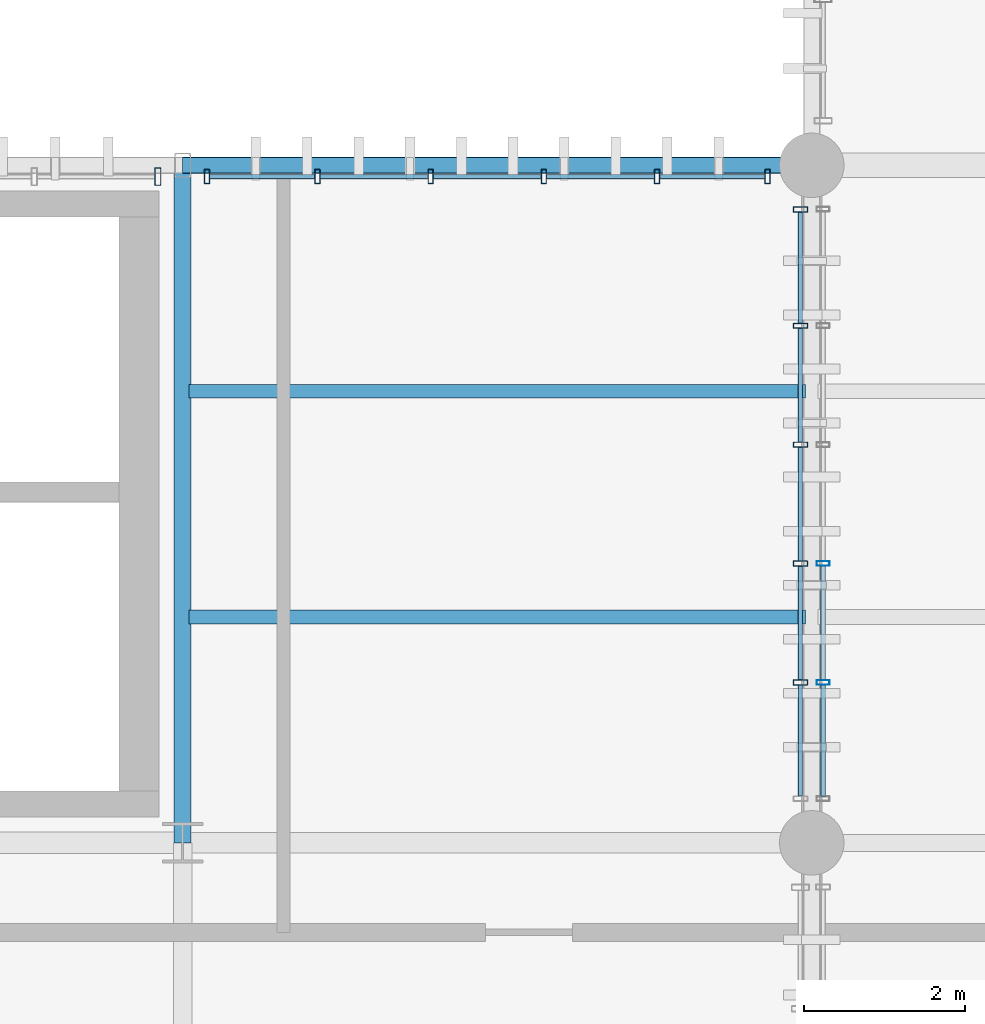
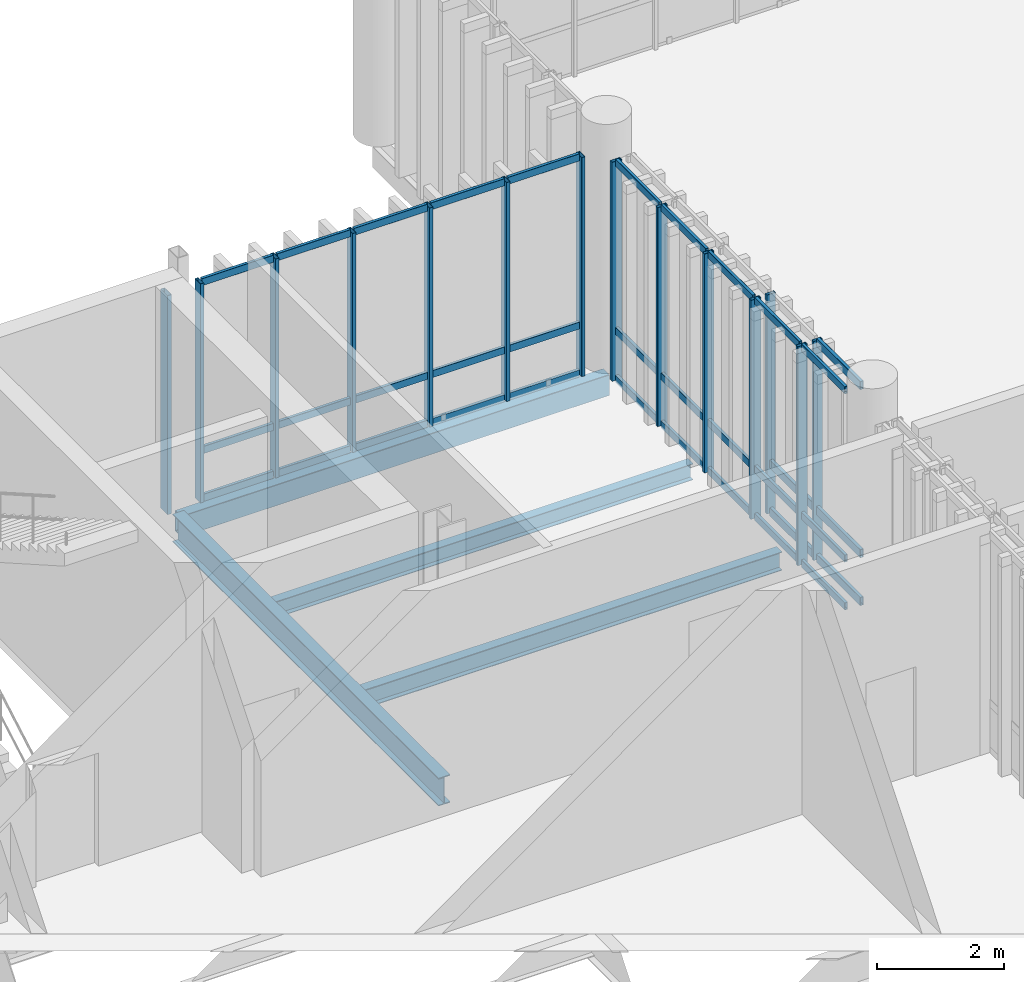
# One storey, part 36 of 109: 49 members, 4 beams, 4 elements without a shape of their own.
"""IFC4 building model written with IfcOpenShell, lengths in metres."""

from ifc_helpers import new_model, si_unit, direction, frame, origin_with_axes, origin_2d_with_axis, place, context, subcontext, project, spatial, hollow_rectangle, i_section, extrude, material, material_profile, profile_set, type_object, element, aggregate, save


model = new_model("IFC4")

# Units and contexts
model_context = context("Model", 3, precision=1e-05, world=origin_with_axes(), true_north=direction((0.0, 1.0)))
body_context = subcontext(model_context, "Body", "Model", "MODEL_VIEW")
ifc_project = project(units=[si_unit("LENGTHUNIT", "METRE"), si_unit("AREAUNIT", "SQUARE_METRE"), si_unit("VOLUMEUNIT", "CUBIC_METRE"), si_unit("PLANEANGLEUNIT", "RADIAN"), si_unit("MASSUNIT", "GRAM", prefix="KILO"), si_unit("THERMODYNAMICTEMPERATUREUNIT", "KELVIN")], contexts=[model_context])

# Site, building, storey
site_placement = place(None, origin_with_axes())
site = spatial("IfcSite", under=ifc_project, at=site_placement, CompositionType="ELEMENT")
building_placement = place(site_placement, origin_with_axes())
building = spatial("IfcBuilding", under=site, at=building_placement, Name="Montbau Bow Law Courts", CompositionType="ELEMENT")
storey_placement = place(building_placement, frame((0.0, 0.0, 10.8), z_axis=(0.0, 0.0, 1.0), x_axis=(1.0, 0.0, 0.0)))
storey = spatial("IfcBuildingStorey", under=building, at=storey_placement, Name="L02", CompositionType="ELEMENT", Elevation=10.8)

# Beams
ifc_material_1 = material(Name="Steel CSA G40.21 Grade 350W (350 MPa)", Category="steel")
ifc_material_profile_1 = material_profile(ifc_material_1, i_section(OverallWidth=0.21, OverallDepth=0.537, WebThickness=0.0109, FlangeThickness=0.0174, at=origin_2d_with_axis()), Name="W530X101", Category="Main", Priority=0)
ifc_profile_set_1 = profile_set([ifc_material_profile_1], Name="Steel CSA G40.21 Grade 350W (350 MPa)")
beam_type_1 = type_object("IfcBeamType", Name="B-FLR-06", PredefinedType="BEAM", material=ifc_profile_set_1)
beam_1_placement = place(None, frame((39.0, 46.2, 10.312), z_axis=(0.0, 1.0, 0.0), x_axis=(-1.0, 0.0, 0.0)))
element("IfcBeam", 1, at=beam_1_placement, inside=storey, type_object=beam_type_1, Name="BM-L02-S0578:bm2_0581", PredefinedType="BEAM", context=body_context, shape_type="SweptSolid", body=[
    extrude(i_section(OverallWidth=0.21, OverallDepth=0.537, WebThickness=0.0109, FlangeThickness=0.0174, at=origin_2d_with_axis()), origin_with_axes(), (0.0, 0.0, 1.0), 8.4),
])
ifc_material_profile_2 = material_profile(ifc_material_1, i_section(OverallWidth=0.172, OverallDepth=0.358, WebThickness=0.0079, FlangeThickness=0.0131, at=origin_2d_with_axis()), Name="W360X57", Category="Main", Priority=0)
ifc_profile_set_2 = profile_set([ifc_material_profile_2], Name="Steel CSA G40.21 Grade 350W (350 MPa)")
beam_type_2 = type_object("IfcBeamType", Name="B-JST-03", PredefinedType="JOIST", material=ifc_profile_set_2)
beam_2_placement = place(None, frame((39.081, 49.0, 10.381), z_axis=(1.0, 0.0, 0.0), x_axis=(0.0, 1.0, 0.0)))
element("IfcBeam", 2, at=beam_2_placement, inside=storey, type_object=beam_type_2, Name="JST-L02-S0282:jst2_0282", PredefinedType="JOIST", context=body_context, shape_type="SweptSolid", body=[
    extrude(i_section(OverallWidth=0.172, OverallDepth=0.358, WebThickness=0.0079, FlangeThickness=0.0131, at=origin_2d_with_axis()), origin_with_axes(), (0.0, 0.0, 1.0), 7.639),
])
ifc_material_profile_3 = material_profile(ifc_material_1, i_section(OverallWidth=0.166, OverallDepth=0.313, WebThickness=0.0066, FlangeThickness=0.0112, at=origin_2d_with_axis()), Name="W310X45", Category="Main", Priority=0)
ifc_profile_set_3 = profile_set([ifc_material_profile_3], Name="Steel CSA G40.21 Grade 350W (350 MPa)")
beam_type_3 = type_object("IfcBeamType", Name="B-JST-04", PredefinedType="JOIST", material=ifc_profile_set_3)
beam_3_placement = place(None, frame((39.081, 51.8, 10.404), z_axis=(1.0, 0.0, 0.0), x_axis=(0.0, 1.0, 0.0)))
element("IfcBeam", 3, at=beam_3_placement, inside=storey, type_object=beam_type_3, Name="JST-L02-S0283:jst2_0283", PredefinedType="JOIST", context=body_context, shape_type="SweptSolid", body=[
    extrude(i_section(OverallWidth=0.166, OverallDepth=0.313, WebThickness=0.0066, FlangeThickness=0.0112, at=origin_2d_with_axis()), origin_with_axes(), (0.0, 0.0, 1.0), 7.639),
])
ifc_material_2 = material(Name="Steel CSA G40.21 Grade 350WT (350 MPa)", Category="steel")
ifc_material_profile_4 = material_profile(ifc_material_2, hollow_rectangle(XDim=0.203, YDim=0.406, WallThickness=0.0127, InnerFilletRadius=0.0254, OuterFilletRadius=0.0127, at=origin_2d_with_axis()), Name="HSS406X203X13", Category="Main", Priority=0)
ifc_profile_set_4 = profile_set([ifc_material_profile_4], Name="Steel CSA G40.21 Grade 350WT (350 MPa)")
beam_type_4 = type_object("IfcBeamType", Name="B-SPN-01", PredefinedType="SPANDREL", material=ifc_profile_set_4)
beam_4_placement = place(None, frame((39.0, 54.6, 10.357), z_axis=(1.0, 0.0, 0.0), x_axis=(0.0, 1.0, 0.0)))
element("IfcBeam", 4, at=beam_4_placement, inside=storey, type_object=beam_type_4, Name="SPN-L02-S0565:bm2_0568", PredefinedType="SPANDREL", context=body_context, shape_type="SweptSolid", body=[
    extrude(hollow_rectangle(XDim=0.203, YDim=0.406, WallThickness=0.0127, InnerFilletRadius=0.0254, OuterFilletRadius=0.0127, at=origin_2d_with_axis()), origin_with_axes(), (0.0, 0.0, 1.0), 7.8),
])

# Curtain wall, member
ifc_material_3 = material(Name="Thermally Broken Extruded Aluminium AA 6063-T6", Category="aluminium")
curtain_wall_type_1 = type_object("IfcCurtainWallType", Name="CW-TRC-01", PredefinedType="NOTDEFINED", material=ifc_material_3)
curtain_wall_1_placement = place(None, frame((30.867, 54.46, 10.8), z_axis=(0.0, 0.0, 1.0), x_axis=(1.0, 0.0, 0.0)))
curtain_wall_1 = element("IfcCurtainWall", 5, at=curtain_wall_1_placement, inside=storey, type_object=curtain_wall_type_1, Name="CW-L02-042:cw_0042", PredefinedType="NOTDEFINED")
ifc_material_profile_5 = material_profile(ifc_material_3, hollow_rectangle(XDim=0.075, YDim=0.22, WallThickness=0.005, InnerFilletRadius=0.01, OuterFilletRadius=0.005, at=origin_2d_with_axis()), Name="CWM-220X75", Category="Main", Priority=0)
ifc_profile_set_5 = profile_set([ifc_material_profile_5], Name="Thermally Broken Extruded Aluminium AA 6063-T6")
member_type_1 = type_object("IfcMemberType", Name="M-MUL-01", PredefinedType="MULLION", material=ifc_profile_set_5)
member_1_placement = place(None, frame((38.694, 54.46, 10.8), z_axis=(0.0, 0.0, 1.0), x_axis=(1.0, 0.0, 0.0)))
member_1 = element("IfcMember", 6, at=member_1_placement, type_object=member_type_1, Name="CW-L02-042-M06:cw_0042_M06", PredefinedType="MULLION", context=body_context, shape_type="SweptSolid", body=[
    extrude(hollow_rectangle(XDim=0.075, YDim=0.22, WallThickness=0.005, InnerFilletRadius=0.01, OuterFilletRadius=0.005, at=origin_2d_with_axis()), origin_with_axes(), (0.0, 0.0, 1.0), 4.22),
])
aggregate(curtain_wall_1, [member_1])

# Curtain wall, members
curtain_wall_2_placement = place(None, frame((39.268, 54.46, 10.8), z_axis=(0.0, 0.0, 1.0), x_axis=(1.0, 0.0, 0.0)))
curtain_wall_2 = element("IfcCurtainWall", 7, at=curtain_wall_2_placement, inside=storey, type_object=curtain_wall_type_1, Name="CW-L02-043:cw_0043", PredefinedType="NOTDEFINED")
ifc_material_profile_6 = material_profile(ifc_material_3, hollow_rectangle(XDim=0.065, YDim=0.18, WallThickness=0.005, InnerFilletRadius=0.01, OuterFilletRadius=0.005, at=origin_2d_with_axis()), Name="CWM-180X65", Category="Main", Priority=0)
ifc_profile_set_6 = profile_set([ifc_material_profile_6], Name="Thermally Broken Extruded Aluminium AA 6063-T6")
member_type_2 = type_object("IfcMemberType", Name="M-MUL-02", PredefinedType="MULLION", material=ifc_profile_set_6)
member_2_placement = place(None, frame((39.301, 54.46, 10.8), z_axis=(0.0, 0.0, 1.0), x_axis=(1.0, 0.0, 0.0)))
member_2 = element("IfcMember", 8, at=member_2_placement, type_object=member_type_2, Name="CW-L02-043-M01:cw_0043_M01", PredefinedType="MULLION", context=body_context, shape_type="SweptSolid", body=[
    extrude(hollow_rectangle(XDim=0.065, YDim=0.18, WallThickness=0.005, InnerFilletRadius=0.01, OuterFilletRadius=0.005, at=origin_2d_with_axis()), origin_with_axes(), (0.0, 0.0, 1.0), 4.22),
])
member_3_placement = place(None, frame((40.671, 54.46, 10.8), z_axis=(0.0, 0.0, 1.0), x_axis=(1.0, 0.0, 0.0)))
member_3 = element("IfcMember", 9, at=member_3_placement, type_object=member_type_2, Name="CW-L02-043-M02:cw_0043_M02", PredefinedType="MULLION", context=body_context, shape_type="SweptSolid", body=[
    extrude(hollow_rectangle(XDim=0.065, YDim=0.18, WallThickness=0.005, InnerFilletRadius=0.01, OuterFilletRadius=0.005, at=origin_2d_with_axis()), origin_with_axes(), (0.0, 0.0, 1.0), 4.22),
])
member_4_placement = place(None, frame((42.075, 54.46, 10.8), z_axis=(0.0, 0.0, 1.0), x_axis=(1.0, 0.0, 0.0)))
member_4 = element("IfcMember", 10, at=member_4_placement, type_object=member_type_2, Name="CW-L02-043-M03:cw_0043_M03", PredefinedType="MULLION", context=body_context, shape_type="SweptSolid", body=[
    extrude(hollow_rectangle(XDim=0.065, YDim=0.18, WallThickness=0.005, InnerFilletRadius=0.01, OuterFilletRadius=0.005, at=origin_2d_with_axis()), origin_with_axes(), (0.0, 0.0, 1.0), 4.22),
])
member_5_placement = place(None, frame((43.478, 54.46, 10.8), z_axis=(0.0, 0.0, 1.0), x_axis=(1.0, 0.0, 0.0)))
member_5 = element("IfcMember", 11, at=member_5_placement, type_object=member_type_2, Name="CW-L02-043-M04:cw_0043_M04", PredefinedType="MULLION", context=body_context, shape_type="SweptSolid", body=[
    extrude(hollow_rectangle(XDim=0.065, YDim=0.18, WallThickness=0.005, InnerFilletRadius=0.01, OuterFilletRadius=0.005, at=origin_2d_with_axis()), origin_with_axes(), (0.0, 0.0, 1.0), 4.22),
])
member_6_placement = place(None, frame((44.882, 54.46, 10.8), z_axis=(0.0, 0.0, 1.0), x_axis=(1.0, 0.0, 0.0)))
member_6 = element("IfcMember", 12, at=member_6_placement, type_object=member_type_2, Name="CW-L02-043-M05:cw_0043_M05", PredefinedType="MULLION", context=body_context, shape_type="SweptSolid", body=[
    extrude(hollow_rectangle(XDim=0.065, YDim=0.18, WallThickness=0.005, InnerFilletRadius=0.01, OuterFilletRadius=0.005, at=origin_2d_with_axis()), origin_with_axes(), (0.0, 0.0, 1.0), 4.22),
])
member_7_placement = place(None, frame((46.252, 54.46, 10.8), z_axis=(0.0, 0.0, 1.0), x_axis=(1.0, 0.0, 0.0)))
member_7 = element("IfcMember", 13, at=member_7_placement, type_object=member_type_2, Name="CW-L02-043-M06:cw_0043_M06", PredefinedType="MULLION", context=body_context, shape_type="SweptSolid", body=[
    extrude(hollow_rectangle(XDim=0.065, YDim=0.18, WallThickness=0.005, InnerFilletRadius=0.01, OuterFilletRadius=0.005, at=origin_2d_with_axis()), origin_with_axes(), (0.0, 0.0, 1.0), 4.22),
])

curtain_wall_3_placement = place(None, frame((46.66, 46.715, 10.8), z_axis=(0.0, 0.0, 1.0), x_axis=(1.0, 0.0, 0.0)))
curtain_wall_3 = element("IfcCurtainWall", 14, at=curtain_wall_3_placement, inside=storey, type_object=curtain_wall_type_1, Name="CW-L02-049:cw_0049", PredefinedType="NOTDEFINED")
member_8_placement = place(None, frame((46.66, 48.189, 10.8), z_axis=(0.0, 0.0, 1.0), x_axis=(0.0, 1.0, 0.0)))
member_8 = element("IfcMember", 15, at=member_8_placement, type_object=member_type_2, Name="CW-L02-049-M02:cw_0049_M02", PredefinedType="MULLION", context=body_context, shape_type="SweptSolid", body=[
    extrude(hollow_rectangle(XDim=0.065, YDim=0.18, WallThickness=0.005, InnerFilletRadius=0.01, OuterFilletRadius=0.005, at=origin_2d_with_axis()), origin_with_axes(), (0.0, 0.0, 1.0), 4.22),
])
member_9_placement = place(None, frame((46.66, 49.663, 10.8), z_axis=(0.0, 0.0, 1.0), x_axis=(0.0, 1.0, 0.0)))
member_9 = element("IfcMember", 16, at=member_9_placement, type_object=member_type_2, Name="CW-L02-049-M03:cw_0049_M03", PredefinedType="MULLION", context=body_context, shape_type="SweptSolid", body=[
    extrude(hollow_rectangle(XDim=0.065, YDim=0.18, WallThickness=0.005, InnerFilletRadius=0.01, OuterFilletRadius=0.005, at=origin_2d_with_axis()), origin_with_axes(), (0.0, 0.0, 1.0), 4.22),
])
member_10_placement = place(None, frame((46.66, 51.137, 10.8), z_axis=(0.0, 0.0, 1.0), x_axis=(0.0, 1.0, 0.0)))
member_10 = element("IfcMember", 17, at=member_10_placement, type_object=member_type_2, Name="CW-L02-049-M04:cw_0049_M04", PredefinedType="MULLION", context=body_context, shape_type="SweptSolid", body=[
    extrude(hollow_rectangle(XDim=0.065, YDim=0.18, WallThickness=0.005, InnerFilletRadius=0.01, OuterFilletRadius=0.005, at=origin_2d_with_axis()), origin_with_axes(), (0.0, 0.0, 1.0), 4.22),
])
member_11_placement = place(None, frame((46.66, 52.611, 10.8), z_axis=(0.0, 0.0, 1.0), x_axis=(0.0, 1.0, 0.0)))
member_11 = element("IfcMember", 18, at=member_11_placement, type_object=member_type_2, Name="CW-L02-049-M05:cw_0049_M05", PredefinedType="MULLION", context=body_context, shape_type="SweptSolid", body=[
    extrude(hollow_rectangle(XDim=0.065, YDim=0.18, WallThickness=0.005, InnerFilletRadius=0.01, OuterFilletRadius=0.005, at=origin_2d_with_axis()), origin_with_axes(), (0.0, 0.0, 1.0), 4.22),
])
member_12_placement = place(None, frame((46.66, 54.052, 10.8), z_axis=(0.0, 0.0, 1.0), x_axis=(0.0, 1.0, 0.0)))
member_12 = element("IfcMember", 19, at=member_12_placement, type_object=member_type_2, Name="CW-L02-049-M06:cw_0049_M06", PredefinedType="MULLION", context=body_context, shape_type="SweptSolid", body=[
    extrude(hollow_rectangle(XDim=0.065, YDim=0.18, WallThickness=0.005, InnerFilletRadius=0.01, OuterFilletRadius=0.005, at=origin_2d_with_axis()), origin_with_axes(), (0.0, 0.0, 1.0), 4.22),
])

curtain_wall_type_2 = type_object("IfcCurtainWallType", Name="CW-CRM-01", PredefinedType="NOTDEFINED", material=ifc_material_3)
curtain_wall_4_placement = place(None, frame((46.94, 46.715, 10.8), z_axis=(0.0, 0.0, 1.0), x_axis=(1.0, 0.0, 0.0)))
curtain_wall_4 = element("IfcCurtainWall", 20, at=curtain_wall_4_placement, inside=storey, type_object=curtain_wall_type_2, Name="CW-L02-170:cw_0170", PredefinedType="NOTDEFINED")
ifc_material_profile_7 = material_profile(ifc_material_3, hollow_rectangle(XDim=0.06, YDim=0.16, WallThickness=0.004, InnerFilletRadius=0.008, OuterFilletRadius=0.004, at=origin_2d_with_axis()), Name="CWM-160X60", Category="Main", Priority=0)
ifc_profile_set_7 = profile_set([ifc_material_profile_7], Name="Thermally Broken Extruded Aluminium AA 6063-T6")
member_type_3 = type_object("IfcMemberType", Name="M-MUL-03", PredefinedType="MULLION", material=ifc_profile_set_7)
member_13_placement = place(None, frame((46.94, 48.189, 10.8), z_axis=(0.0, 0.0, 1.0), x_axis=(0.0, 1.0, 0.0)))
member_13 = element("IfcMember", 21, at=member_13_placement, type_object=member_type_3, Name="CW-L02-170-M02:cw_0170_M02", PredefinedType="MULLION", context=body_context, shape_type="SweptSolid", body=[
    extrude(hollow_rectangle(XDim=0.06, YDim=0.16, WallThickness=0.004, InnerFilletRadius=0.008, OuterFilletRadius=0.004, at=origin_2d_with_axis()), origin_with_axes(), (0.0, 0.0, 1.0), 4.22),
])
member_14_placement = place(None, frame((46.94, 49.663, 10.8), z_axis=(0.0, 0.0, 1.0), x_axis=(0.0, 1.0, 0.0)))
member_14 = element("IfcMember", 22, at=member_14_placement, type_object=member_type_3, Name="CW-L02-170-M03:cw_0170_M03", PredefinedType="MULLION", context=body_context, shape_type="SweptSolid", body=[
    extrude(hollow_rectangle(XDim=0.06, YDim=0.16, WallThickness=0.004, InnerFilletRadius=0.008, OuterFilletRadius=0.004, at=origin_2d_with_axis()), origin_with_axes(), (0.0, 0.0, 1.0), 4.22),
])
ifc_material_profile_8 = material_profile(ifc_material_3, hollow_rectangle(XDim=0.06, YDim=0.16, WallThickness=0.004, InnerFilletRadius=0.008, OuterFilletRadius=0.004, at=origin_2d_with_axis()), Name="CWT-160X60", Category="Main", Priority=0)
ifc_profile_set_8 = profile_set([ifc_material_profile_8], Name="Thermally Broken Extruded Aluminium AA 6063-T6")
member_type_4 = type_object("IfcMemberType", Name="M-TRN-01", PredefinedType="USERDEFINED", material=ifc_profile_set_8)
member_15_placement = place(None, frame((46.94, 46.777, 10.83), z_axis=(0.0, 1.0, 0.0), x_axis=(-1.0, 0.0, 0.0)))
member_15 = element("IfcMember", 23, at=member_15_placement, type_object=member_type_4, Name="CW-L02-170-T01-1:cw_0170_T01_1", ObjectType="TRANSOM", PredefinedType="USERDEFINED", context=body_context, shape_type="SweptSolid", body=[
    extrude(hollow_rectangle(XDim=0.06, YDim=0.16, WallThickness=0.004, InnerFilletRadius=0.008, OuterFilletRadius=0.004, at=origin_2d_with_axis()), origin_with_axes(), (0.0, 0.0, 1.0), 1.38),
])
member_16_placement = place(None, frame((46.94, 46.777, 11.75), z_axis=(0.0, 1.0, 0.0), x_axis=(-1.0, 0.0, 0.0)))
member_16 = element("IfcMember", 24, at=member_16_placement, type_object=member_type_4, Name="CW-L02-170-T01-2:cw_0170_T01_2", ObjectType="TRANSOM", PredefinedType="USERDEFINED", context=body_context, shape_type="SweptSolid", body=[
    extrude(hollow_rectangle(XDim=0.06, YDim=0.16, WallThickness=0.004, InnerFilletRadius=0.008, OuterFilletRadius=0.004, at=origin_2d_with_axis()), origin_with_axes(), (0.0, 0.0, 1.0), 1.38),
])
member_17_placement = place(None, frame((46.94, 46.777, 14.99), z_axis=(0.0, 1.0, 0.0), x_axis=(-1.0, 0.0, 0.0)))
member_17 = element("IfcMember", 25, at=member_17_placement, type_object=member_type_4, Name="CW-L02-170-T01-3:cw_0170_T01_3", ObjectType="TRANSOM", PredefinedType="USERDEFINED", context=body_context, shape_type="SweptSolid", body=[
    extrude(hollow_rectangle(XDim=0.06, YDim=0.16, WallThickness=0.004, InnerFilletRadius=0.008, OuterFilletRadius=0.004, at=origin_2d_with_axis()), origin_with_axes(), (0.0, 0.0, 1.0), 1.38),
])
member_18_placement = place(None, frame((46.94, 48.221, 10.83), z_axis=(0.0, 1.0, 0.0), x_axis=(-1.0, 0.0, 0.0)))
member_18 = element("IfcMember", 26, at=member_18_placement, type_object=member_type_4, Name="CW-L02-170-T02-1:cw_0170_T02_1", ObjectType="TRANSOM", PredefinedType="USERDEFINED", context=body_context, shape_type="SweptSolid", body=[
    extrude(hollow_rectangle(XDim=0.06, YDim=0.16, WallThickness=0.004, InnerFilletRadius=0.008, OuterFilletRadius=0.004, at=origin_2d_with_axis()), origin_with_axes(), (0.0, 0.0, 1.0), 1.41),
])
member_19_placement = place(None, frame((46.94, 48.221, 11.75), z_axis=(0.0, 1.0, 0.0), x_axis=(-1.0, 0.0, 0.0)))
member_19 = element("IfcMember", 27, at=member_19_placement, type_object=member_type_4, Name="CW-L02-170-T02-2:cw_0170_T02_2", ObjectType="TRANSOM", PredefinedType="USERDEFINED", context=body_context, shape_type="SweptSolid", body=[
    extrude(hollow_rectangle(XDim=0.06, YDim=0.16, WallThickness=0.004, InnerFilletRadius=0.008, OuterFilletRadius=0.004, at=origin_2d_with_axis()), origin_with_axes(), (0.0, 0.0, 1.0), 1.41),
])
aggregate(curtain_wall_4, [member_13, member_14, member_15, member_16, member_17, member_18, member_19])

# Member
ifc_material_profile_9 = material_profile(ifc_material_3, hollow_rectangle(XDim=0.055, YDim=0.14, WallThickness=0.004, InnerFilletRadius=0.008, OuterFilletRadius=0.004, at=origin_2d_with_axis()), Name="CWT-140X55", Category="Main", Priority=0)
ifc_profile_set_9 = profile_set([ifc_material_profile_9], Name="Thermally Broken Extruded Aluminium AA 6063-T6")
member_type_5 = type_object("IfcMemberType", Name="M-TRN-02", PredefinedType="USERDEFINED", material=ifc_profile_set_9)
member_20_placement = place(None, frame((39.336, 54.46, 10.828), z_axis=(1.0, 0.0, 0.0), x_axis=(0.0, 1.0, 0.0)))
member_20 = element("IfcMember", 28, at=member_20_placement, type_object=member_type_5, Name="CW-L02-043-T01-1:cw_0043_T01_1", ObjectType="TRANSOM", PredefinedType="USERDEFINED", context=body_context, shape_type="SweptSolid", body=[
    extrude(hollow_rectangle(XDim=0.055, YDim=0.14, WallThickness=0.004, InnerFilletRadius=0.008, OuterFilletRadius=0.004, at=origin_2d_with_axis()), origin_with_axes(), (0.0, 0.0, 1.0), 1.301),
])

member_21_placement = place(None, frame((39.336, 54.46, 11.75), z_axis=(1.0, 0.0, 0.0), x_axis=(0.0, 1.0, 0.0)))
member_21 = element("IfcMember", 29, at=member_21_placement, type_object=member_type_5, Name="CW-L02-043-T01-2:cw_0043_T01_2", ObjectType="TRANSOM", PredefinedType="USERDEFINED", context=body_context, shape_type="SweptSolid", body=[
    extrude(hollow_rectangle(XDim=0.055, YDim=0.14, WallThickness=0.004, InnerFilletRadius=0.008, OuterFilletRadius=0.004, at=origin_2d_with_axis()), origin_with_axes(), (0.0, 0.0, 1.0), 1.301),
])

member_22_placement = place(None, frame((39.336, 54.46, 14.992), z_axis=(1.0, 0.0, 0.0), x_axis=(0.0, 1.0, 0.0)))
member_22 = element("IfcMember", 30, at=member_22_placement, type_object=member_type_5, Name="CW-L02-043-T01-3:cw_0043_T01_3", ObjectType="TRANSOM", PredefinedType="USERDEFINED", context=body_context, shape_type="SweptSolid", body=[
    extrude(hollow_rectangle(XDim=0.055, YDim=0.14, WallThickness=0.004, InnerFilletRadius=0.008, OuterFilletRadius=0.004, at=origin_2d_with_axis()), origin_with_axes(), (0.0, 0.0, 1.0), 1.301),
])

member_23_placement = place(None, frame((40.706, 54.46, 10.828), z_axis=(1.0, 0.0, 0.0), x_axis=(0.0, 1.0, 0.0)))
member_23 = element("IfcMember", 31, at=member_23_placement, type_object=member_type_5, Name="CW-L02-043-T02-1:cw_0043_T02_1", ObjectType="TRANSOM", PredefinedType="USERDEFINED", context=body_context, shape_type="SweptSolid", body=[
    extrude(hollow_rectangle(XDim=0.055, YDim=0.14, WallThickness=0.004, InnerFilletRadius=0.008, OuterFilletRadius=0.004, at=origin_2d_with_axis()), origin_with_axes(), (0.0, 0.0, 1.0), 1.334),
])

member_24_placement = place(None, frame((40.706, 54.46, 11.75), z_axis=(1.0, 0.0, 0.0), x_axis=(0.0, 1.0, 0.0)))
member_24 = element("IfcMember", 32, at=member_24_placement, type_object=member_type_5, Name="CW-L02-043-T02-2:cw_0043_T02_2", ObjectType="TRANSOM", PredefinedType="USERDEFINED", context=body_context, shape_type="SweptSolid", body=[
    extrude(hollow_rectangle(XDim=0.055, YDim=0.14, WallThickness=0.004, InnerFilletRadius=0.008, OuterFilletRadius=0.004, at=origin_2d_with_axis()), origin_with_axes(), (0.0, 0.0, 1.0), 1.334),
])

member_25_placement = place(None, frame((40.706, 54.46, 14.992), z_axis=(1.0, 0.0, 0.0), x_axis=(0.0, 1.0, 0.0)))
member_25 = element("IfcMember", 33, at=member_25_placement, type_object=member_type_5, Name="CW-L02-043-T02-3:cw_0043_T02_3", ObjectType="TRANSOM", PredefinedType="USERDEFINED", context=body_context, shape_type="SweptSolid", body=[
    extrude(hollow_rectangle(XDim=0.055, YDim=0.14, WallThickness=0.004, InnerFilletRadius=0.008, OuterFilletRadius=0.004, at=origin_2d_with_axis()), origin_with_axes(), (0.0, 0.0, 1.0), 1.334),
])

member_26_placement = place(None, frame((42.109, 54.46, 10.828), z_axis=(1.0, 0.0, 0.0), x_axis=(0.0, 1.0, 0.0)))
member_26 = element("IfcMember", 34, at=member_26_placement, type_object=member_type_5, Name="CW-L02-043-T03-1:cw_0043_T03_1", ObjectType="TRANSOM", PredefinedType="USERDEFINED", context=body_context, shape_type="SweptSolid", body=[
    extrude(hollow_rectangle(XDim=0.055, YDim=0.14, WallThickness=0.004, InnerFilletRadius=0.008, OuterFilletRadius=0.004, at=origin_2d_with_axis()), origin_with_axes(), (0.0, 0.0, 1.0), 1.335),
])

member_27_placement = place(None, frame((42.109, 54.46, 11.75), z_axis=(1.0, 0.0, 0.0), x_axis=(0.0, 1.0, 0.0)))
member_27 = element("IfcMember", 35, at=member_27_placement, type_object=member_type_5, Name="CW-L02-043-T03-2:cw_0043_T03_2", ObjectType="TRANSOM", PredefinedType="USERDEFINED", context=body_context, shape_type="SweptSolid", body=[
    extrude(hollow_rectangle(XDim=0.055, YDim=0.14, WallThickness=0.004, InnerFilletRadius=0.008, OuterFilletRadius=0.004, at=origin_2d_with_axis()), origin_with_axes(), (0.0, 0.0, 1.0), 1.335),
])

member_28_placement = place(None, frame((42.109, 54.46, 14.992), z_axis=(1.0, 0.0, 0.0), x_axis=(0.0, 1.0, 0.0)))
member_28 = element("IfcMember", 36, at=member_28_placement, type_object=member_type_5, Name="CW-L02-043-T03-3:cw_0043_T03_3", ObjectType="TRANSOM", PredefinedType="USERDEFINED", context=body_context, shape_type="SweptSolid", body=[
    extrude(hollow_rectangle(XDim=0.055, YDim=0.14, WallThickness=0.004, InnerFilletRadius=0.008, OuterFilletRadius=0.004, at=origin_2d_with_axis()), origin_with_axes(), (0.0, 0.0, 1.0), 1.335),
])

member_29_placement = place(None, frame((43.512, 54.46, 10.828), z_axis=(1.0, 0.0, 0.0), x_axis=(0.0, 1.0, 0.0)))
member_29 = element("IfcMember", 37, at=member_29_placement, type_object=member_type_5, Name="CW-L02-043-T04-1:cw_0043_T04_1", ObjectType="TRANSOM", PredefinedType="USERDEFINED", context=body_context, shape_type="SweptSolid", body=[
    extrude(hollow_rectangle(XDim=0.055, YDim=0.14, WallThickness=0.004, InnerFilletRadius=0.008, OuterFilletRadius=0.004, at=origin_2d_with_axis()), origin_with_axes(), (0.0, 0.0, 1.0), 1.336),
])

member_30_placement = place(None, frame((43.512, 54.46, 11.75), z_axis=(1.0, 0.0, 0.0), x_axis=(0.0, 1.0, 0.0)))
member_30 = element("IfcMember", 38, at=member_30_placement, type_object=member_type_5, Name="CW-L02-043-T04-2:cw_0043_T04_2", ObjectType="TRANSOM", PredefinedType="USERDEFINED", context=body_context, shape_type="SweptSolid", body=[
    extrude(hollow_rectangle(XDim=0.055, YDim=0.14, WallThickness=0.004, InnerFilletRadius=0.008, OuterFilletRadius=0.004, at=origin_2d_with_axis()), origin_with_axes(), (0.0, 0.0, 1.0), 1.336),
])

member_31_placement = place(None, frame((43.512, 54.46, 14.992), z_axis=(1.0, 0.0, 0.0), x_axis=(0.0, 1.0, 0.0)))
member_31 = element("IfcMember", 39, at=member_31_placement, type_object=member_type_5, Name="CW-L02-043-T04-3:cw_0043_T04_3", ObjectType="TRANSOM", PredefinedType="USERDEFINED", context=body_context, shape_type="SweptSolid", body=[
    extrude(hollow_rectangle(XDim=0.055, YDim=0.14, WallThickness=0.004, InnerFilletRadius=0.008, OuterFilletRadius=0.004, at=origin_2d_with_axis()), origin_with_axes(), (0.0, 0.0, 1.0), 1.336),
])

member_32_placement = place(None, frame((44.916, 54.46, 10.828), z_axis=(1.0, 0.0, 0.0), x_axis=(0.0, 1.0, 0.0)))
member_32 = element("IfcMember", 40, at=member_32_placement, type_object=member_type_5, Name="CW-L02-043-T05-1:cw_0043_T05_1", ObjectType="TRANSOM", PredefinedType="USERDEFINED", context=body_context, shape_type="SweptSolid", body=[
    extrude(hollow_rectangle(XDim=0.055, YDim=0.14, WallThickness=0.004, InnerFilletRadius=0.008, OuterFilletRadius=0.004, at=origin_2d_with_axis()), origin_with_axes(), (0.0, 0.0, 1.0), 1.302),
])

member_33_placement = place(None, frame((44.916, 54.46, 11.75), z_axis=(1.0, 0.0, 0.0), x_axis=(0.0, 1.0, 0.0)))
member_33 = element("IfcMember", 41, at=member_33_placement, type_object=member_type_5, Name="CW-L02-043-T05-2:cw_0043_T05_2", ObjectType="TRANSOM", PredefinedType="USERDEFINED", context=body_context, shape_type="SweptSolid", body=[
    extrude(hollow_rectangle(XDim=0.055, YDim=0.14, WallThickness=0.004, InnerFilletRadius=0.008, OuterFilletRadius=0.004, at=origin_2d_with_axis()), origin_with_axes(), (0.0, 0.0, 1.0), 1.302),
])

member_34_placement = place(None, frame((44.916, 54.46, 14.992), z_axis=(1.0, 0.0, 0.0), x_axis=(0.0, 1.0, 0.0)))
member_34 = element("IfcMember", 42, at=member_34_placement, type_object=member_type_5, Name="CW-L02-043-T05-3:cw_0043_T05_3", ObjectType="TRANSOM", PredefinedType="USERDEFINED", context=body_context, shape_type="SweptSolid", body=[
    extrude(hollow_rectangle(XDim=0.055, YDim=0.14, WallThickness=0.004, InnerFilletRadius=0.008, OuterFilletRadius=0.004, at=origin_2d_with_axis()), origin_with_axes(), (0.0, 0.0, 1.0), 1.302),
])

aggregate(curtain_wall_2, [member_2, member_3, member_4, member_5, member_6, member_7, member_20, member_21, member_22, member_23, member_24, member_25, member_26, member_27, member_28, member_29, member_30, member_31, member_32, member_33, member_34])

member_35_placement = place(None, frame((46.66, 46.783, 10.828), z_axis=(0.0, 1.0, 0.0), x_axis=(-1.0, 0.0, 0.0)))
member_35 = element("IfcMember", 43, at=member_35_placement, type_object=member_type_5, Name="CW-L02-049-T01-1:cw_0049_T01_1", ObjectType="TRANSOM", PredefinedType="USERDEFINED", context=body_context, shape_type="SweptSolid", body=[
    extrude(hollow_rectangle(XDim=0.055, YDim=0.14, WallThickness=0.004, InnerFilletRadius=0.008, OuterFilletRadius=0.004, at=origin_2d_with_axis()), origin_with_axes(), (0.0, 0.0, 1.0), 1.372),
])

member_36_placement = place(None, frame((46.66, 46.783, 11.75), z_axis=(0.0, 1.0, 0.0), x_axis=(-1.0, 0.0, 0.0)))
member_36 = element("IfcMember", 44, at=member_36_placement, type_object=member_type_5, Name="CW-L02-049-T01-2:cw_0049_T01_2", ObjectType="TRANSOM", PredefinedType="USERDEFINED", context=body_context, shape_type="SweptSolid", body=[
    extrude(hollow_rectangle(XDim=0.055, YDim=0.14, WallThickness=0.004, InnerFilletRadius=0.008, OuterFilletRadius=0.004, at=origin_2d_with_axis()), origin_with_axes(), (0.0, 0.0, 1.0), 1.372),
])

member_37_placement = place(None, frame((46.66, 46.783, 14.992), z_axis=(0.0, 1.0, 0.0), x_axis=(-1.0, 0.0, 0.0)))
member_37 = element("IfcMember", 45, at=member_37_placement, type_object=member_type_5, Name="CW-L02-049-T01-3:cw_0049_T01_3", ObjectType="TRANSOM", PredefinedType="USERDEFINED", context=body_context, shape_type="SweptSolid", body=[
    extrude(hollow_rectangle(XDim=0.055, YDim=0.14, WallThickness=0.004, InnerFilletRadius=0.008, OuterFilletRadius=0.004, at=origin_2d_with_axis()), origin_with_axes(), (0.0, 0.0, 1.0), 1.372),
])

member_38_placement = place(None, frame((46.66, 48.223, 10.828), z_axis=(0.0, 1.0, 0.0), x_axis=(-1.0, 0.0, 0.0)))
member_38 = element("IfcMember", 46, at=member_38_placement, type_object=member_type_5, Name="CW-L02-049-T02-1:cw_0049_T02_1", ObjectType="TRANSOM", PredefinedType="USERDEFINED", context=body_context, shape_type="SweptSolid", body=[
    extrude(hollow_rectangle(XDim=0.055, YDim=0.14, WallThickness=0.004, InnerFilletRadius=0.008, OuterFilletRadius=0.004, at=origin_2d_with_axis()), origin_with_axes(), (0.0, 0.0, 1.0), 1.405),
])

member_39_placement = place(None, frame((46.66, 48.223, 11.75), z_axis=(0.0, 1.0, 0.0), x_axis=(-1.0, 0.0, 0.0)))
member_39 = element("IfcMember", 47, at=member_39_placement, type_object=member_type_5, Name="CW-L02-049-T02-2:cw_0049_T02_2", ObjectType="TRANSOM", PredefinedType="USERDEFINED", context=body_context, shape_type="SweptSolid", body=[
    extrude(hollow_rectangle(XDim=0.055, YDim=0.14, WallThickness=0.004, InnerFilletRadius=0.008, OuterFilletRadius=0.004, at=origin_2d_with_axis()), origin_with_axes(), (0.0, 0.0, 1.0), 1.405),
])

member_40_placement = place(None, frame((46.66, 48.223, 14.992), z_axis=(0.0, 1.0, 0.0), x_axis=(-1.0, 0.0, 0.0)))
member_40 = element("IfcMember", 48, at=member_40_placement, type_object=member_type_5, Name="CW-L02-049-T02-3:cw_0049_T02_3", ObjectType="TRANSOM", PredefinedType="USERDEFINED", context=body_context, shape_type="SweptSolid", body=[
    extrude(hollow_rectangle(XDim=0.055, YDim=0.14, WallThickness=0.004, InnerFilletRadius=0.008, OuterFilletRadius=0.004, at=origin_2d_with_axis()), origin_with_axes(), (0.0, 0.0, 1.0), 1.405),
])

member_41_placement = place(None, frame((46.66, 49.697, 10.828), z_axis=(0.0, 1.0, 0.0), x_axis=(-1.0, 0.0, 0.0)))
member_41 = element("IfcMember", 49, at=member_41_placement, type_object=member_type_5, Name="CW-L02-049-T03-1:cw_0049_T03_1", ObjectType="TRANSOM", PredefinedType="USERDEFINED", context=body_context, shape_type="SweptSolid", body=[
    extrude(hollow_rectangle(XDim=0.055, YDim=0.14, WallThickness=0.004, InnerFilletRadius=0.008, OuterFilletRadius=0.004, at=origin_2d_with_axis()), origin_with_axes(), (0.0, 0.0, 1.0), 1.406),
])

member_42_placement = place(None, frame((46.66, 49.697, 11.75), z_axis=(0.0, 1.0, 0.0), x_axis=(-1.0, 0.0, 0.0)))
member_42 = element("IfcMember", 50, at=member_42_placement, type_object=member_type_5, Name="CW-L02-049-T03-2:cw_0049_T03_2", ObjectType="TRANSOM", PredefinedType="USERDEFINED", context=body_context, shape_type="SweptSolid", body=[
    extrude(hollow_rectangle(XDim=0.055, YDim=0.14, WallThickness=0.004, InnerFilletRadius=0.008, OuterFilletRadius=0.004, at=origin_2d_with_axis()), origin_with_axes(), (0.0, 0.0, 1.0), 1.406),
])

member_43_placement = place(None, frame((46.66, 49.697, 14.992), z_axis=(0.0, 1.0, 0.0), x_axis=(-1.0, 0.0, 0.0)))
member_43 = element("IfcMember", 51, at=member_43_placement, type_object=member_type_5, Name="CW-L02-049-T03-3:cw_0049_T03_3", ObjectType="TRANSOM", PredefinedType="USERDEFINED", context=body_context, shape_type="SweptSolid", body=[
    extrude(hollow_rectangle(XDim=0.055, YDim=0.14, WallThickness=0.004, InnerFilletRadius=0.008, OuterFilletRadius=0.004, at=origin_2d_with_axis()), origin_with_axes(), (0.0, 0.0, 1.0), 1.406),
])

member_44_placement = place(None, frame((46.66, 51.171, 10.828), z_axis=(0.0, 1.0, 0.0), x_axis=(-1.0, 0.0, 0.0)))
member_44 = element("IfcMember", 52, at=member_44_placement, type_object=member_type_5, Name="CW-L02-049-T04-1:cw_0049_T04_1", ObjectType="TRANSOM", PredefinedType="USERDEFINED", context=body_context, shape_type="SweptSolid", body=[
    extrude(hollow_rectangle(XDim=0.055, YDim=0.14, WallThickness=0.004, InnerFilletRadius=0.008, OuterFilletRadius=0.004, at=origin_2d_with_axis()), origin_with_axes(), (0.0, 0.0, 1.0), 1.406),
])

member_45_placement = place(None, frame((46.66, 51.171, 11.75), z_axis=(0.0, 1.0, 0.0), x_axis=(-1.0, 0.0, 0.0)))
member_45 = element("IfcMember", 53, at=member_45_placement, type_object=member_type_5, Name="CW-L02-049-T04-2:cw_0049_T04_2", ObjectType="TRANSOM", PredefinedType="USERDEFINED", context=body_context, shape_type="SweptSolid", body=[
    extrude(hollow_rectangle(XDim=0.055, YDim=0.14, WallThickness=0.004, InnerFilletRadius=0.008, OuterFilletRadius=0.004, at=origin_2d_with_axis()), origin_with_axes(), (0.0, 0.0, 1.0), 1.406),
])

member_46_placement = place(None, frame((46.66, 51.171, 14.992), z_axis=(0.0, 1.0, 0.0), x_axis=(-1.0, 0.0, 0.0)))
member_46 = element("IfcMember", 54, at=member_46_placement, type_object=member_type_5, Name="CW-L02-049-T04-3:cw_0049_T04_3", ObjectType="TRANSOM", PredefinedType="USERDEFINED", context=body_context, shape_type="SweptSolid", body=[
    extrude(hollow_rectangle(XDim=0.055, YDim=0.14, WallThickness=0.004, InnerFilletRadius=0.008, OuterFilletRadius=0.004, at=origin_2d_with_axis()), origin_with_axes(), (0.0, 0.0, 1.0), 1.406),
])

member_47_placement = place(None, frame((46.66, 52.645, 10.828), z_axis=(0.0, 1.0, 0.0), x_axis=(-1.0, 0.0, 0.0)))
member_47 = element("IfcMember", 55, at=member_47_placement, type_object=member_type_5, Name="CW-L02-049-T05-1:cw_0049_T05_1", ObjectType="TRANSOM", PredefinedType="USERDEFINED", context=body_context, shape_type="SweptSolid", body=[
    extrude(hollow_rectangle(XDim=0.055, YDim=0.14, WallThickness=0.004, InnerFilletRadius=0.008, OuterFilletRadius=0.004, at=origin_2d_with_axis()), origin_with_axes(), (0.0, 0.0, 1.0), 1.373),
])

member_48_placement = place(None, frame((46.66, 52.645, 11.75), z_axis=(0.0, 1.0, 0.0), x_axis=(-1.0, 0.0, 0.0)))
member_48 = element("IfcMember", 56, at=member_48_placement, type_object=member_type_5, Name="CW-L02-049-T05-2:cw_0049_T05_2", ObjectType="TRANSOM", PredefinedType="USERDEFINED", context=body_context, shape_type="SweptSolid", body=[
    extrude(hollow_rectangle(XDim=0.055, YDim=0.14, WallThickness=0.004, InnerFilletRadius=0.008, OuterFilletRadius=0.004, at=origin_2d_with_axis()), origin_with_axes(), (0.0, 0.0, 1.0), 1.373),
])

member_49_placement = place(None, frame((46.66, 52.645, 14.992), z_axis=(0.0, 1.0, 0.0), x_axis=(-1.0, 0.0, 0.0)))
member_49 = element("IfcMember", 57, at=member_49_placement, type_object=member_type_5, Name="CW-L02-049-T05-3:cw_0049_T05_3", ObjectType="TRANSOM", PredefinedType="USERDEFINED", context=body_context, shape_type="SweptSolid", body=[
    extrude(hollow_rectangle(XDim=0.055, YDim=0.14, WallThickness=0.004, InnerFilletRadius=0.008, OuterFilletRadius=0.004, at=origin_2d_with_axis()), origin_with_axes(), (0.0, 0.0, 1.0), 1.373),
])

aggregate(curtain_wall_3, [member_8, member_9, member_10, member_11, member_12, member_35, member_36, member_37, member_38, member_39, member_40, member_41, member_42, member_43, member_44, member_45, member_46, member_47, member_48, member_49])

save(model, "model.ifc")
